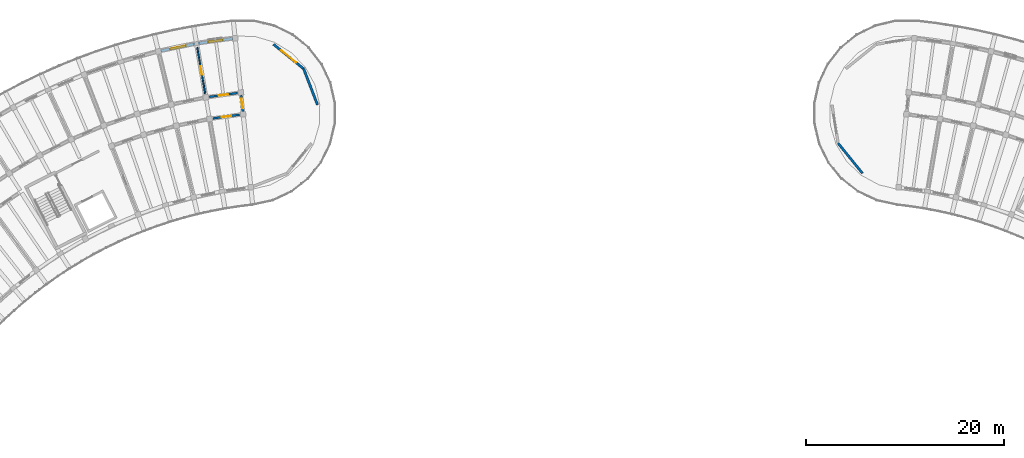
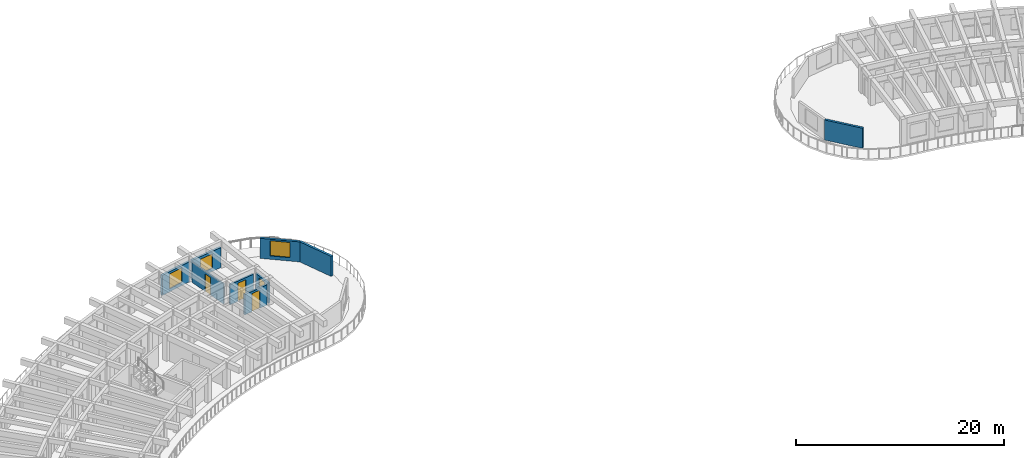
# One storey, part 46 of 78: 9 walls, 4 doors, 3 windows, 7 openings.
"""IFC4 building model written with IfcOpenShell, lengths in metres."""

from ifc_helpers import new_model, si_unit, direction, frame, frame_2d, origin, place, context, subcontext, project, spatial, rectangle, extrude, material, layer, layer_set, type_object, element, fill, save


model = new_model("IFC4")

# Units and contexts
model_context = context("Model", 3, precision=1e-05, world=origin(), true_north=direction((0.0, 1.0)))
body_context = subcontext(model_context, "Body", "Model", "MODEL_VIEW")
ifc_project = project(units=[si_unit("LENGTHUNIT", "METRE"), si_unit("AREAUNIT", "SQUARE_METRE"), si_unit("VOLUMEUNIT", "CUBIC_METRE"), si_unit("PLANEANGLEUNIT", "RADIAN"), si_unit("MASSUNIT", "GRAM", prefix="KILO")], contexts=[model_context])

# Site, building, storey
site_placement = place(None, origin())
site = spatial("IfcSite", under=ifc_project, at=site_placement, CompositionType="ELEMENT")
building_placement = place(site_placement, origin())
building = spatial("IfcBuilding", under=site, at=building_placement, Name="Tanwirah Colonnade Gardens", CompositionType="ELEMENT")
storey_placement = place(building_placement, frame((0.0, 0.0, 22.280029296875)))
storey = spatial("IfcBuildingStorey", under=building, at=storey_placement, Name="L06", CompositionType="ELEMENT", Elevation=22.280029296875)

# Wall
ifc_material_1 = material(Name="Limestone architectural precast concrete C40/50", Category="masonry")
ifc_layer_1 = layer(ifc_material_1, 0.239990234375)
ifc_layer_set_1 = layer_set([ifc_layer_1], Name="Limestone architectural precast concrete C40/50")
wall_type_1 = type_object("IfcWallType", Name="EW-PC240", PredefinedType="SOLIDWALL", material=ifc_layer_set_1)
wall_1_placement = place(storey_placement, frame((121.997802734375, 105.80712890625, 0.0), z_axis=(0.0, 0.0, 1.0), x_axis=(-0.629331205321, 0.777137204109, 0.0)))
element("IfcWall", 1, at=wall_1_placement, inside=storey, type_object=wall_type_1, Name="Block B L06 END Rounded End Wall 1", PredefinedType="SOLIDWALL", context=body_context, shape_type="SweptSolid", body=[
    extrude(rectangle(XDim=3.907958984375, YDim=0.239990234375, at=frame_2d((1.9541015625, 0.0))), origin(), (0.0, 0.0, 1.0), 2.35498046875),
])

# Wall, opening, window
ifc_layer_2 = layer(ifc_material_1, 0.2451171875)
ifc_layer_set_2 = layer_set([ifc_layer_2], Name="Limestone architectural precast concrete C40/50")
wall_type_2 = type_object("IfcWallType", Name="EW-PC245", PredefinedType="SOLIDWALL", material=ifc_layer_set_2)
wall_2_placement = place(storey_placement, frame((58.53271484375, 119.39013671875, 0.0), z_axis=(0.0, 0.0, 1.0), x_axis=(-0.990539718913, -0.137226328578, 0.0)))
wall_2 = element("IfcWall", 2, at=wall_2_placement, inside=storey, type_object=wall_type_2, Name="Block A L06 OUT Precast Facade Wall 0", PredefinedType="SOLIDWALL", context=body_context, shape_type="SweptSolid", body=[
    extrude(rectangle(XDim=3.520751953125, YDim=0.2451171875, at=frame_2d((1.76025390625, 0.0))), origin(), (0.0, 0.0, 1.0), 2.35498046875),
])
opening_1_placement = place(wall_2_placement, frame((1.035400390625, 0.0, 0.35009765625)))
opening_1 = element("IfcOpeningElement", 3, at=opening_1_placement, cuts=wall_2, Name="Opening WIN-T07", PredefinedType="OPENING", context=body_context, shape_type="SweptSolid", body=[
    extrude(rectangle(XDim=1.449951171875, YDim=1.699951171875, at=frame_2d((0.72509765625, 0.85009765625))), frame((0.0, 0.132568359375, 0.0), z_axis=(0.0, -1.0, 0.0), x_axis=(1.0, 0.0, 0.0)), (0.0, 0.0, 1.0), 0.26513671875),
])
ifc_material_2 = material(Name="Thermally broken bronze aluminium and solar low-E double glazing", Category="aluminium")
window_type_1 = type_object("IfcWindowType", Name="WIN-T07", PartitioningType="DOUBLE_PANEL_VERTICAL", PredefinedType="WINDOW", material=ifc_material_2)
window_1_placement = place(opening_1_placement, origin())
window_1 = element("IfcWindow", 4, at=window_1_placement, inside=storey, type_object=window_type_1, Name="Facade window A-L06-OUT-00", OverallHeight=1.699951171875, OverallWidth=1.449951171875, PartitioningType="SINGLE_PANEL", PredefinedType="WINDOW", context=body_context, shape_type="SweptSolid", body=[
    extrude(rectangle(XDim=1.449951171875, YDim=1.699951171875, at=frame_2d((0.72509765625, 0.85009765625))), frame((0.0, 0.030029296875, 0.0), z_axis=(0.0, -1.0, 0.0), x_axis=(1.0, 0.0, 0.0)), (0.0, 0.0, 1.0), 0.06005859375),
])
fill(opening_1, window_1)

wall_3_placement = place(storey_placement, frame((54.72998046875, 118.8525390625, 0.0), z_axis=(0.0, 0.0, 1.0), x_axis=(-0.979340051053, -0.202220336275, 0.0)))
wall_3 = element("IfcWall", 5, at=wall_3_placement, inside=storey, type_object=wall_type_2, Name="Block A L06 OUT Precast Facade Wall 1", PredefinedType="SOLIDWALL", context=body_context, shape_type="SweptSolid", body=[
    extrude(rectangle(XDim=3.5205078125, YDim=0.2451171875, at=frame_2d((1.76025390625, 0.0))), origin(), (0.0, 0.0, 1.0), 2.35498046875),
])
opening_2_placement = place(wall_3_placement, frame((0.960205078125, 0.0, 0.35009765625)))
opening_2 = element("IfcOpeningElement", 6, at=opening_2_placement, cuts=wall_3, Name="Opening WIN-T10", PredefinedType="OPENING", context=body_context, shape_type="SweptSolid", body=[
    extrude(rectangle(XDim=1.60009765625, YDim=1.75, at=frame_2d((0.800048828125, 0.875))), frame((0.0, 0.132568359375, 0.0), z_axis=(0.0, -1.0, 0.0), x_axis=(1.0, 0.0, 0.0)), (0.0, 0.0, 1.0), 0.26513671875),
])
window_type_2 = type_object("IfcWindowType", Name="WIN-T10", PartitioningType="DOUBLE_PANEL_VERTICAL", PredefinedType="WINDOW", material=ifc_material_2)
window_2_placement = place(opening_2_placement, origin())
window_2 = element("IfcWindow", 7, at=window_2_placement, inside=storey, type_object=window_type_2, Name="Facade window A-L06-OUT-01", OverallHeight=1.75, OverallWidth=1.60009765625, PartitioningType="SINGLE_PANEL", PredefinedType="WINDOW", context=body_context, shape_type="SweptSolid", body=[
    extrude(rectangle(XDim=1.60009765625, YDim=1.75, at=frame_2d((0.800048828125, 0.875))), frame((0.0, 0.030029296875, 0.0), z_axis=(0.0, -1.0, 0.0), x_axis=(1.0, 0.0, 0.0)), (0.0, 0.0, 1.0), 0.06005859375),
])
fill(opening_2, window_2)

wall_4_placement = place(storey_placement, frame((62.635498046875, 118.8125, 0.0), z_axis=(0.0, 0.0, 1.0), x_axis=(0.777137204109, -0.629331205321, 0.0)))
wall_4 = element("IfcWall", 8, at=wall_4_placement, inside=storey, type_object=wall_type_2, Name="Block A L06 START Rounded End Wall 1", PredefinedType="SOLIDWALL", context=body_context, shape_type="SweptSolid", body=[
    extrude(rectangle(XDim=3.907958984375, YDim=0.2451171875, at=frame_2d((1.9541015625, 0.0))), origin(), (0.0, 0.0, 1.0), 2.35498046875),
])
opening_3_placement = place(wall_4_placement, frame((0.97900390625, 0.0, 0.39990234375)))
opening_3 = element("IfcOpeningElement", 9, at=opening_3_placement, cuts=wall_4, Name="Opening WIN-END2", PredefinedType="OPENING", context=body_context, shape_type="SweptSolid", body=[
    extrude(rectangle(XDim=1.949951171875, YDim=1.780029296875, at=frame_2d((0.97509765625, 0.89013671875))), frame((0.0, 0.132568359375, 0.0), z_axis=(0.0, -1.0, 0.0), x_axis=(1.0, 0.0, 0.0)), (0.0, 0.0, 1.0), 0.26513671875),
])
window_type_3 = type_object("IfcWindowType", Name="WIN-END2", PartitioningType="TRIPLE_PANEL_VERTICAL", PredefinedType="WINDOW", material=ifc_material_2)
window_3_placement = place(opening_3_placement, origin())
window_3 = element("IfcWindow", 10, at=window_3_placement, inside=storey, type_object=window_type_3, Name="Rounded corner window A-L06-START-1", OverallHeight=1.780029296875, OverallWidth=1.949951171875, PartitioningType="SINGLE_PANEL", PredefinedType="WINDOW", context=body_context, shape_type="SweptSolid", body=[
    extrude(rectangle(XDim=1.949951171875, YDim=1.780029296875, at=frame_2d((0.97509765625, 0.89013671875))), frame((0.0, 0.030029296875, 0.0), z_axis=(0.0, -1.0, 0.0), x_axis=(1.0, 0.0, 0.0)), (0.0, 0.0, 1.0), 0.06005859375),
])
fill(opening_3, window_3)

# Wall
wall_5_placement = place(storey_placement, frame((65.672607421875, 116.35302734375, 0.0), z_axis=(0.0, 0.0, 1.0), x_axis=(0.358376224971, -0.933577249817, 0.0)))
element("IfcWall", 11, at=wall_5_placement, inside=storey, type_object=wall_type_2, Name="Block A L06 START Rounded End Wall 2", PredefinedType="SOLIDWALL", context=body_context, shape_type="SweptSolid", body=[
    extrude(rectangle(XDim=3.908203125, YDim=0.2451171875, at=frame_2d((1.9541015625, 0.0))), origin(), (0.0, 0.0, 1.0), 2.35498046875),
])

# Wall, opening, door
ifc_material_3 = material(Name="Precast concrete C40/50", Category="concrete")
ifc_layer_3 = layer(ifc_material_3, 0.205078125)
ifc_layer_set_3 = layer_set([ifc_layer_3], Name="Precast concrete C40/50")
wall_type_3 = type_object("IfcWallType", Name="IW-CORR205", PredefinedType="PARTITIONING", material=ifc_layer_set_3)
wall_6_placement = place(storey_placement, frame((59.003662109375, 113.90576171875, 0.0), z_axis=(0.0, 0.0, 1.0), x_axis=(-0.990544162976, -0.137194246211, 0.0)))
wall_6 = element("IfcWall", 12, at=wall_6_placement, inside=storey, type_object=wall_type_3, Name="Block A L06 OUT Corridor Wall 0", PredefinedType="PARTITIONING", context=body_context, shape_type="SweptSolid", body=[
    extrude(rectangle(XDim=2.86328125, YDim=0.205078125, at=frame_2d((1.431640625, 0.0))), origin(), (0.0, 0.0, 1.0), 2.369873046875),
])
opening_4_placement = place(wall_6_placement, frame((0.95654296875, 0.0, 0.0)))
opening_4 = element("IfcOpeningElement", 13, at=opening_4_placement, cuts=wall_6, Name="Opening L06-AD472", PredefinedType="OPENING", context=body_context, shape_type="SweptSolid", body=[
    extrude(rectangle(XDim=0.949951171875, YDim=2.1298828125, at=frame_2d((0.47509765625, 1.06494140625))), frame((0.0, 0.112548828125, 0.0), z_axis=(0.0, -1.0, 0.0), x_axis=(1.0, 0.0, 0.0)), (0.0, 0.0, 1.0), 0.22509765625),
])
ifc_material_4 = material(Name="Solid oak fire-resisting apartment entrance door")
door_type_1 = type_object("IfcDoorType", Name="ID-FLT095", OperationType="NOTDEFINED", PredefinedType="DOOR", material=ifc_material_4)
door_1_placement = place(opening_4_placement, origin())
door_1 = element("IfcDoor", 14, at=door_1_placement, inside=storey, type_object=door_type_1, Name="Apartment corridor door L06-AD472", OperationType="SINGLE_SWING_LEFT", OverallHeight=2.1298828125, OverallWidth=0.949951171875, PredefinedType="DOOR", context=body_context, shape_type="SweptSolid", body=[
    extrude(rectangle(XDim=0.949951171875, YDim=2.1298828125, at=frame_2d((0.47509765625, 1.06494140625))), frame((0.0, 0.02490234375, 0.0), z_axis=(0.0, -1.0, 0.0), x_axis=(1.0, 0.0, 0.0)), (0.0, 0.0, 1.0), 0.050048828125),
])
fill(opening_4, door_1)

wall_7_placement = place(storey_placement, frame((59.2333984375, 111.718017578125, 0.0), z_axis=(0.0, 0.0, 1.0), x_axis=(-0.990535404475, -0.137257467855, 0.0)))
wall_7 = element("IfcWall", 15, at=wall_7_placement, inside=storey, type_object=wall_type_3, Name="Block A L06 IN Corridor Wall 0", PredefinedType="PARTITIONING", context=body_context, shape_type="SweptSolid", body=[
    extrude(rectangle(XDim=2.7177734375, YDim=0.205078125, at=frame_2d((1.35888671875, 0.0))), origin(), (0.0, 0.0, 1.0), 2.369873046875),
])
opening_5_placement = place(wall_7_placement, frame((0.884033203125, 0.0, 0.0)))
opening_5 = element("IfcOpeningElement", 16, at=opening_5_placement, cuts=wall_7, Name="Opening L06-AD473", PredefinedType="OPENING", context=body_context, shape_type="SweptSolid", body=[
    extrude(rectangle(XDim=0.949951171875, YDim=2.1298828125, at=frame_2d((0.47509765625, 1.06494140625))), frame((0.0, 0.112548828125, 0.0), z_axis=(0.0, -1.0, 0.0), x_axis=(1.0, 0.0, 0.0)), (0.0, 0.0, 1.0), 0.22509765625),
])
door_2_placement = place(opening_5_placement, origin())
door_2 = element("IfcDoor", 17, at=door_2_placement, inside=storey, type_object=door_type_1, Name="Apartment corridor door L06-AD473", OperationType="SINGLE_SWING_RIGHT", OverallHeight=2.1298828125, OverallWidth=0.949951171875, PredefinedType="DOOR", context=body_context, shape_type="SweptSolid", body=[
    extrude(rectangle(XDim=0.949951171875, YDim=2.1298828125, at=frame_2d((0.47509765625, 1.06494140625))), frame((0.0, 0.02490234375, 0.0), z_axis=(0.0, -1.0, 0.0), x_axis=(1.0, 0.0, 0.0)), (0.0, 0.0, 1.0), 0.050048828125),
])
fill(opening_5, door_2)

wall_8_placement = place(storey_placement, frame((59.574951171875, 111.815673828125, 0.0), z_axis=(0.0, 0.0, 1.0), x_axis=(-0.104509292252, 0.994523910136, 0.0)))
wall_8 = element("IfcWall", 18, at=wall_8_placement, inside=storey, type_object=wall_type_3, Name="Block A L06 CS Corner Suite Corridor Wall", PredefinedType="PARTITIONING", context=body_context, shape_type="SweptSolid", body=[
    extrude(rectangle(XDim=2.10009765625, YDim=0.205078125, at=frame_2d((1.050048828125, 0.0))), origin(), (0.0, 0.0, 1.0), 2.369873046875),
])
opening_6_placement = place(wall_8_placement, frame((0.570068359375, 0.0, 0.0)))
opening_6 = element("IfcOpeningElement", 19, at=opening_6_placement, cuts=wall_8, Name="Opening L06-CD513", PredefinedType="OPENING", context=body_context, shape_type="SweptSolid", body=[
    extrude(rectangle(XDim=0.949951171875, YDim=2.1298828125, at=frame_2d((0.47509765625, 1.06494140625))), frame((0.0, 0.112548828125, 0.0), z_axis=(0.0, -1.0, 0.0), x_axis=(1.0, 0.0, 0.0)), (0.0, 0.0, 1.0), 0.22509765625),
])
door_3_placement = place(opening_6_placement, origin())
door_3 = element("IfcDoor", 20, at=door_3_placement, inside=storey, type_object=door_type_1, Name="Corner suite entrance door L06-CD513", OperationType="SINGLE_SWING_LEFT", OverallHeight=2.1298828125, OverallWidth=0.949951171875, PredefinedType="DOOR", context=body_context, shape_type="SweptSolid", body=[
    extrude(rectangle(XDim=0.949951171875, YDim=2.1298828125, at=frame_2d((0.47509765625, 1.06494140625))), frame((0.0, 0.02490234375, 0.0), z_axis=(0.0, -1.0, 0.0), x_axis=(1.0, 0.0, 0.0)), (0.0, 0.0, 1.0), 0.050048828125),
])
fill(opening_6, door_3)

ifc_material_5 = material(Name="Water-resistant acoustic plumbing partition")
ifc_layer_4 = layer(ifc_material_5, 0.139892578125)
ifc_layer_set_4 = layer_set([ifc_layer_4], Name="Water-resistant acoustic plumbing partition")
wall_type_4 = type_object("IfcWallType", Name="IW-WET140", PredefinedType="PLUMBINGWALL", material=ifc_layer_set_4)
wall_9_placement = place(storey_placement, frame((55.7529296875, 113.859130859375, 0.0), z_axis=(0.0, 0.0, 1.0), x_axis=(-0.169812980219, 0.985476307046, 0.0)))
wall_9 = element("IfcWall", 21, at=wall_9_placement, inside=storey, type_object=wall_type_4, Name="Block A L06 Radial Partition 0", PredefinedType="PLUMBINGWALL", context=body_context, shape_type="SweptSolid", body=[
    extrude(rectangle(XDim=4.699951171875, YDim=0.139892578125, at=frame_2d((2.35009765625, 0.0))), origin(), (0.0, 0.0, 1.0), 2.369873046875),
])
opening_7_placement = place(wall_9_placement, frame((1.919921875, 0.0, 0.0)))
opening_7 = element("IfcOpeningElement", 22, at=opening_7_placement, cuts=wall_9, Name="Opening L06-RD474", PredefinedType="OPENING", context=body_context, shape_type="SweptSolid", body=[
    extrude(rectangle(XDim=0.860107421875, YDim=2.06005859375, at=frame_2d((0.43017578125, 1.030029296875))), frame((0.0, 0.079833984375, 0.0), z_axis=(0.0, -1.0, 0.0), x_axis=(1.0, 0.0, 0.0)), (0.0, 0.0, 1.0), 0.159912109375),
])
ifc_material_6 = material(Name="Moisture-resistant bathroom door")
door_type_2 = type_object("IfcDoorType", Name="ID-WET086", OperationType="NOTDEFINED", PredefinedType="DOOR", material=ifc_material_6)
door_4_placement = place(opening_7_placement, origin())
door_4 = element("IfcDoor", 23, at=door_4_placement, inside=storey, type_object=door_type_2, Name="Internal apartment door L06-RD474", OperationType="SINGLE_SWING_LEFT", OverallHeight=2.06005859375, OverallWidth=0.860107421875, PredefinedType="DOOR", context=body_context, shape_type="SweptSolid", body=[
    extrude(rectangle(XDim=0.860107421875, YDim=2.06005859375, at=frame_2d((0.43017578125, 1.030029296875))), frame((0.0, 0.02490234375, 0.0), z_axis=(0.0, -1.0, 0.0), x_axis=(1.0, 0.0, 0.0)), (0.0, 0.0, 1.0), 0.050048828125),
])
fill(opening_7, door_4)

save(model, "model.ifc")
